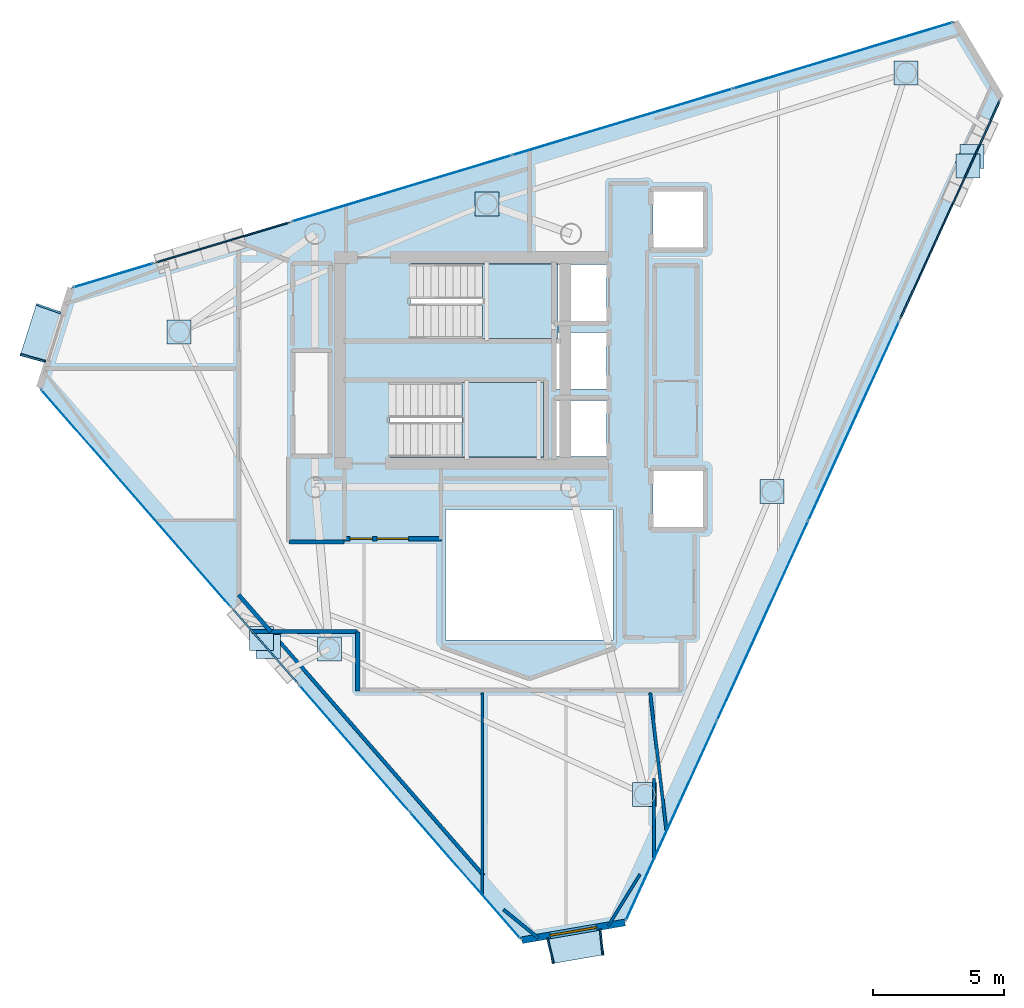
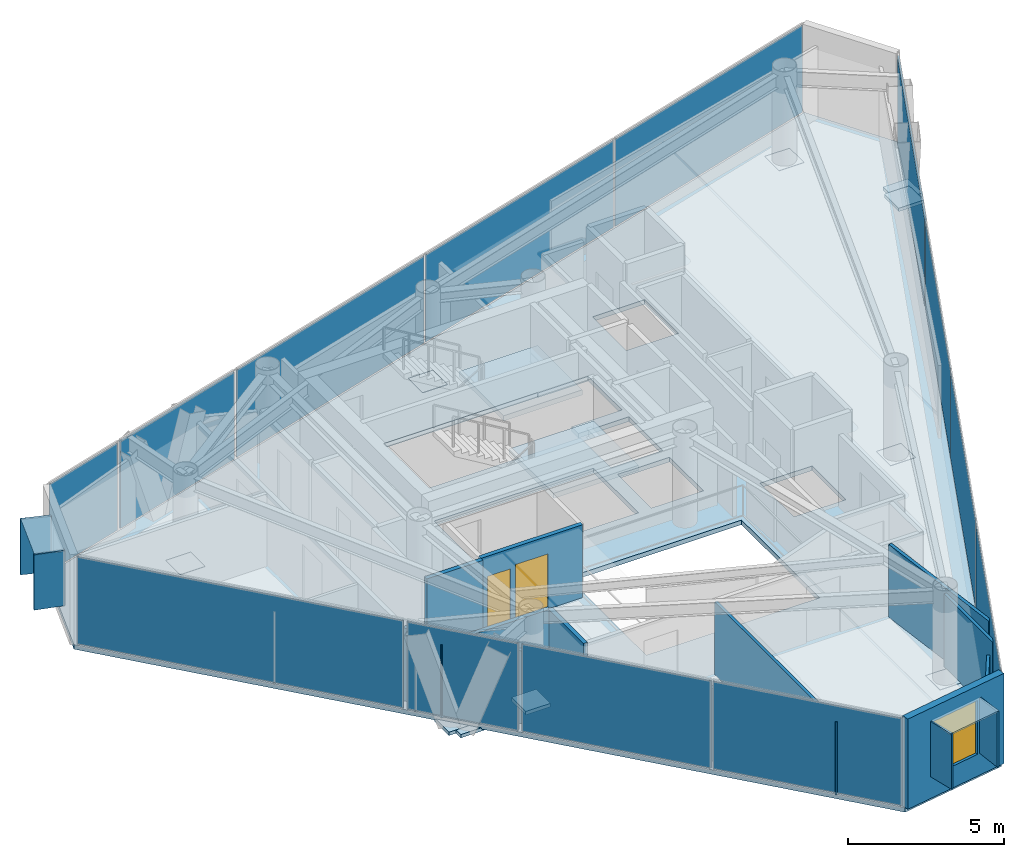
# One storey, part 15 of 19: 29 plates, 12 walls, 3 slabs, 2 doors, 1 window, 3 openings, 10 elements without a shape of their own.
"""IFC4 building model written with IfcOpenShell, lengths in metres."""

from ifc_helpers import new_model, si_unit, direction, frame, frame_2d, origin, origin_2d, place, context, subcontext, project, spatial, polyline, rectangle, outline, extrude, material, layer, layer_set, type_object, element, fill, aggregate, save


model = new_model("IFC4")

# Units and contexts
model_context = context("Model", 3, precision=1e-05, world=origin(), true_north=direction((0.0, 1.0)))
body_context = subcontext(model_context, "Body", "Model", "MODEL_VIEW")
ifc_project = project(units=[si_unit("LENGTHUNIT", "METRE"), si_unit("AREAUNIT", "SQUARE_METRE"), si_unit("VOLUMEUNIT", "CUBIC_METRE"), si_unit("PLANEANGLEUNIT", "RADIAN"), si_unit("MASSUNIT", "GRAM", prefix="KILO")], contexts=[model_context])

# Site, building, storey
site_placement = place(None, origin())
site = spatial("IfcSite", under=ifc_project, at=site_placement, CompositionType="ELEMENT")
building_placement = place(site_placement, origin())
building = spatial("IfcBuilding", under=site, at=building_placement, Name="Qianvela Tower", CompositionType="ELEMENT")
storey_placement = place(building_placement, frame((0.0, 0.0, 325.89990234375)))
storey = spatial("IfcBuildingStorey", under=building, at=storey_placement, Name="L84", CompositionType="ELEMENT", Elevation=325.89990234375)

# Curtain wall, plate
ifc_material_1 = material(Name="Anodised Architectural Aluminium and Insulated Spandrel Panel", Category="aluminium")
ifc_layer_1 = layer(ifc_material_1, 0.179931640625)
ifc_layer_set_1 = layer_set([ifc_layer_1], Name="Anodised Architectural Aluminium and Insulated Spandrel Panel")
curtain_wall_type_1 = type_object("IfcCurtainWallType", Name="CW-BRACEBAY", PredefinedType="USERDEFINED", material=ifc_layer_set_1)
curtain_wall_1_placement = place(storey_placement, origin())
curtain_wall_1 = element("IfcCurtainWall", 1, at=curtain_wall_1_placement, inside=storey, type_object=curtain_wall_type_1, Name="L84 CW-BRACEBAY Curtain Wall 02B", ObjectType="CURTAIN_WALL_SYSTEM", PredefinedType="USERDEFINED")
ifc_material_2 = material(Name="Insulated Aluminium Spandrel Panel with Mineral-Wool Backpan", Category="aluminium")
ifc_layer_2 = layer(ifc_material_2, 0.06005859375)
ifc_layer_set_2 = layer_set([ifc_layer_2], Name="Insulated Aluminium Spandrel Panel with Mineral-Wool Backpan")
plate_type_1 = type_object("IfcPlateType", Name="CW-BRACEBAY-PNL", PredefinedType="CURTAIN_PANEL", material=ifc_layer_set_2)
plate_1_placement = place(storey_placement, frame((25.059326171875, 33.22021484375, 0.06494140625), z_axis=(0.0, 0.0, 1.0), x_axis=(-0.95748675866, -0.288477220921, 0.0)))
plate_1 = element("IfcPlate", 2, at=plate_1_placement, type_object=plate_type_1, Name="CW-9 panel 1.1", PredefinedType="CURTAIN_PANEL", context=body_context, shape_type="SweptSolid", body=[
    extrude(rectangle(XDim=5.320068359375, YDim=0.06005859375, at=origin_2d()), origin(), (0.0, 0.0, 1.0), 3.389892578125),
])
aggregate(curtain_wall_1, [plate_1])

curtain_wall_2_placement = place(storey_placement, origin())
curtain_wall_2 = element("IfcCurtainWall", 3, at=curtain_wall_2_placement, inside=storey, type_object=curtain_wall_type_1, Name="L84 CW-BRACEBAY Curtain Wall 04B", ObjectType="CURTAIN_WALL_SYSTEM", PredefinedType="USERDEFINED")
plate_2_placement = place(storey_placement, frame((26.69482421875, 17.764404296875, 0.06494140625), z_axis=(0.0, 0.0, 1.0), x_axis=(0.657632408423, -0.753338977746, 0.0)))
plate_2 = element("IfcPlate", 4, at=plate_2_placement, type_object=plate_type_1, Name="CW-9 panel 1.1", PredefinedType="CURTAIN_PANEL", context=body_context, shape_type="SweptSolid", body=[
    extrude(rectangle(XDim=3.760009765625, YDim=0.06005859375, at=origin_2d()), origin(), (0.0, 0.0, 1.0), 3.389892578125),
])
aggregate(curtain_wall_2, [plate_2])

curtain_wall_3_placement = place(storey_placement, origin())
curtain_wall_3 = element("IfcCurtainWall", 5, at=curtain_wall_3_placement, inside=storey, type_object=curtain_wall_type_1, Name="L84 CW-BRACEBAY Curtain Wall 06B", ObjectType="CURTAIN_WALL_SYSTEM", PredefinedType="USERDEFINED")
plate_3_placement = place(storey_placement, frame((52.9091796875, 34.471435546875, 0.06494140625), z_axis=(0.0, 0.0, 1.0), x_axis=(0.415117118362, 0.909767980335, 0.0)))
plate_3 = element("IfcPlate", 6, at=plate_3_placement, type_object=plate_type_1, Name="CW-9 panel 1.1", PredefinedType="CURTAIN_PANEL", context=body_context, shape_type="SweptSolid", body=[
    extrude(rectangle(XDim=9.171630859375, YDim=0.06005859375, at=origin_2d()), origin(), (0.0, 0.0, 1.0), 3.389892578125),
])
aggregate(curtain_wall_3, [plate_3])

# Curtain wall, plates
ifc_material_3 = material(Name="Anodised Architectural Aluminium and Low-E Glass", Category="aluminium")
ifc_layer_3 = layer(ifc_material_3, 0.14990234375)
ifc_layer_set_3 = layer_set([ifc_layer_3], Name="Anodised Architectural Aluminium and Low-E Glass")
curtain_wall_type_2 = type_object("IfcCurtainWallType", Name="CW-COLIV-Z78", PredefinedType="USERDEFINED", material=ifc_layer_set_3)
curtain_wall_4_placement = place(storey_placement, origin())
curtain_wall_4 = element("IfcCurtainWall", 7, at=curtain_wall_4_placement, inside=storey, type_object=curtain_wall_type_2, Name="L84 CW-COLIV-Z78 Curtain Wall 02A", ObjectType="CURTAIN_WALL_SYSTEM", PredefinedType="USERDEFINED")
ifc_material_4 = material(Name="Double-Silver Low-E Insulated Glass", Category="glass")
ifc_layer_4 = layer(ifc_material_4, 0.02587890625)
ifc_layer_set_4 = layer_set([ifc_layer_4], Name="Double-Silver Low-E Insulated Glass")
plate_type_2 = type_object("IfcPlateType", Name="CW-COLIV-Z78-PNL", PredefinedType="CURTAIN_PANEL", material=ifc_layer_set_4)
plate_4_placement = place(storey_placement, frame((48.806640625, 40.375, 0.06005859375), z_axis=(0.0, 0.0, 1.0), x_axis=(-0.957485808835, -0.288480373472, 0.0)))
plate_4 = element("IfcPlate", 8, at=plate_4_placement, type_object=plate_type_2, Name="CW-6 panel 1.1", PredefinedType="CURTAIN_PANEL", context=body_context, shape_type="SweptSolid", body=[
    extrude(rectangle(XDim=8.74658203125, YDim=0.02587890625, at=origin_2d()), origin(), (0.0, 0.0, 1.0), 3.39990234375),
])
plate_5_placement = place(storey_placement, frame((40.35986328125, 37.830078125, 0.06005859375), z_axis=(0.0, 0.0, 1.0), x_axis=(-0.957485808835, -0.288480373472, 0.0)))
plate_5 = element("IfcPlate", 9, at=plate_5_placement, type_object=plate_type_2, Name="CW-6 panel 2.1", PredefinedType="CURTAIN_PANEL", context=body_context, shape_type="SweptSolid", body=[
    extrude(rectangle(XDim=8.776611328125, YDim=0.02587890625, at=origin_2d()), origin(), (0.0, 0.0, 1.0), 3.39990234375),
])
plate_6_placement = place(storey_placement, frame((31.913330078125, 35.285400390625, 0.06005859375), z_axis=(0.0, 0.0, 1.0), x_axis=(-0.957485808835, -0.288480373472, 0.0)))
plate_6 = element("IfcPlate", 10, at=plate_6_placement, type_object=plate_type_2, Name="CW-6 panel 3.1", PredefinedType="CURTAIN_PANEL", context=body_context, shape_type="SweptSolid", body=[
    extrude(rectangle(XDim=8.74658203125, YDim=0.02587890625, at=origin_2d()), origin(), (0.0, 0.0, 1.0), 3.39990234375),
])
aggregate(curtain_wall_4, [plate_4, plate_5, plate_6])

# Curtain wall, plate
curtain_wall_5_placement = place(storey_placement, origin())
curtain_wall_5 = element("IfcCurtainWall", 11, at=curtain_wall_5_placement, inside=storey, type_object=curtain_wall_type_2, Name="L84 CW-COLIV-Z78 Curtain Wall 02C", ObjectType="CURTAIN_WALL_SYSTEM", PredefinedType="USERDEFINED")
plate_7_placement = place(storey_placement, frame((20.87841796875, 31.960693359375, 0.06005859375), z_axis=(0.0, 0.0, 1.0), x_axis=(-0.957482750443, -0.288490524288, 0.0)))
plate_7 = element("IfcPlate", 12, at=plate_7_placement, type_object=plate_type_2, Name="CW-6 panel 1.1", PredefinedType="CURTAIN_PANEL", context=body_context, shape_type="SweptSolid", body=[
    extrude(rectangle(XDim=3.163330078125, YDim=0.02587890625, at=origin_2d()), origin(), (0.0, 0.0, 1.0), 3.39990234375),
])
aggregate(curtain_wall_5, [plate_7])

curtain_wall_6_placement = place(storey_placement, origin())
curtain_wall_6 = element("IfcCurtainWall", 13, at=curtain_wall_6_placement, inside=storey, type_object=curtain_wall_type_2, Name="L84 CW-COLIV-Z78 Curtain Wall 04A", ObjectType="CURTAIN_WALL_SYSTEM", PredefinedType="USERDEFINED")
plate_8_placement = place(storey_placement, frame((21.752685546875, 23.42578125, 0.06005859375), z_axis=(0.0, 0.0, 1.0), x_axis=(0.657640506468, -0.753331908425, 0.0)))
plate_8 = element("IfcPlate", 14, at=plate_8_placement, type_object=plate_type_2, Name="CW-6 panel 1.1", PredefinedType="CURTAIN_PANEL", context=body_context, shape_type="SweptSolid", body=[
    extrude(rectangle(XDim=11.02001953125, YDim=0.02587890625, at=origin_2d()), origin(), (0.0, 0.0, 1.0), 3.39990234375),
])
aggregate(curtain_wall_6, [plate_8])

# Curtain wall, plates
curtain_wall_7_placement = place(storey_placement, origin())
curtain_wall_7 = element("IfcCurtainWall", 15, at=curtain_wall_7_placement, inside=storey, type_object=curtain_wall_type_2, Name="L84 CW-COLIV-Z78 Curtain Wall 04C", ObjectType="CURTAIN_WALL_SYSTEM", PredefinedType="USERDEFINED")
plate_9_placement = place(storey_placement, frame((30.11181640625, 13.850341796875, 0.06005859375), z_axis=(0.0, 0.0, 1.0), x_axis=(0.657639415253, -0.753332861029, 0.0)))
plate_9 = element("IfcPlate", 16, at=plate_9_placement, type_object=plate_type_2, Name="CW-6 panel 1.1", PredefinedType="CURTAIN_PANEL", context=body_context, shape_type="SweptSolid", body=[
    extrude(rectangle(XDim=6.381591796875, YDim=0.02587890625, at=origin_2d()), origin(), (0.0, 0.0, 1.0), 3.39990234375),
])
plate_10_placement = place(storey_placement, frame((34.34814453125, 8.99755859375, 0.06005859375), z_axis=(0.0, 0.0, 1.0), x_axis=(0.657639415253, -0.753332861029, 0.0)))
plate_10 = element("IfcPlate", 17, at=plate_10_placement, type_object=plate_type_2, Name="CW-6 panel 2.1", PredefinedType="CURTAIN_PANEL", context=body_context, shape_type="SweptSolid", body=[
    extrude(rectangle(XDim=6.381591796875, YDim=0.02587890625, at=origin_2d()), origin(), (0.0, 0.0, 1.0), 3.39990234375),
])
aggregate(curtain_wall_7, [plate_9, plate_10])

curtain_wall_8_placement = place(storey_placement, origin())
curtain_wall_8 = element("IfcCurtainWall", 18, at=curtain_wall_8_placement, inside=storey, type_object=curtain_wall_type_2, Name="L84 CW-COLIV-Z78 Curtain Wall 06A", ObjectType="CURTAIN_WALL_SYSTEM", PredefinedType="USERDEFINED")
plate_11_placement = place(storey_placement, frame((42.236083984375, 11.08056640625, 0.06005859375), z_axis=(0.0, 0.0, 1.0), x_axis=(0.415120482066, 0.909766445507, 0.0)))
plate_11 = element("IfcPlate", 19, at=plate_11_placement, type_object=plate_type_2, Name="CW-6 panel 1.1", PredefinedType="CURTAIN_PANEL", context=body_context, shape_type="SweptSolid", body=[
    extrude(rectangle(XDim=8.340087890625, YDim=0.02587890625, at=origin_2d()), origin(), (0.0, 0.0, 1.0), 3.39990234375),
])
plate_12_placement = place(storey_placement, frame((45.7294921875, 18.736083984375, 0.06005859375), z_axis=(0.0, 0.0, 1.0), x_axis=(0.415120482066, 0.909766445507, 0.0)))
plate_12 = element("IfcPlate", 20, at=plate_12_placement, type_object=plate_type_2, Name="CW-6 panel 2.1", PredefinedType="CURTAIN_PANEL", context=body_context, shape_type="SweptSolid", body=[
    extrude(rectangle(XDim=8.3701171875, YDim=0.02587890625, at=origin_2d()), origin(), (0.0, 0.0, 1.0), 3.39990234375),
])
plate_13_placement = place(storey_placement, frame((49.22265625, 26.391845703125, 0.06005859375), z_axis=(0.0, 0.0, 1.0), x_axis=(0.415120482066, 0.909766445507, 0.0)))
plate_13 = element("IfcPlate", 21, at=plate_13_placement, type_object=plate_type_2, Name="CW-6 panel 3.1", PredefinedType="CURTAIN_PANEL", context=body_context, shape_type="SweptSolid", body=[
    extrude(rectangle(XDim=8.340087890625, YDim=0.02587890625, at=origin_2d()), origin(), (0.0, 0.0, 1.0), 3.39990234375),
])
aggregate(curtain_wall_8, [plate_11, plate_12, plate_13])

# Plates
ifc_material_5 = material(Name="Steel Q420GJC", Category="steel")
ifc_layer_5 = layer(ifc_material_5, 0.1298828125)
ifc_layer_set_5 = layer_set([ifc_layer_5], Name="Steel Q420GJC")
plate_type_3 = type_object("IfcPlateType", Name="PT-ENDCAP-130", PredefinedType="USERDEFINED", material=ifc_layer_set_5)
for number, where, z_axis, x_axis, name in (
    (22, (26.544921875, 18.0576171875, -0.261474609375), (0.0, 0.0, 1.0), (1.0, 0.0, 0.0), "L84 Hollow Section End Cap Plate A"),
    (23, (26.808349609375, 17.756103515625, -0.261474609375), (0.0, 0.0, 1.0), (1.0, 0.0, 0.0), "L84 Hollow Section End Cap Plate A"),
    (24, (53.587646484375, 36.15087890625, -0.261474609375), (0.0, 0.0, 1.0), (1.0, 0.0, 0.0), "L84 Hollow Section End Cap Plate A"),
    (25, (53.75390625, 36.515380859375, -0.261474609375), (0.0, 0.0, 1.0), (1.0, 0.0, 0.0), "L84 Hollow Section End Cap Plate A"),
):
    element("IfcPlate", number, at=place(storey_placement, frame(where, z_axis=z_axis, x_axis=x_axis)), inside=storey, type_object=plate_type_3, Name=name, ObjectType="END_CAP", PredefinedType="USERDEFINED", context=body_context, shape_type="SweptSolid", body=[
        extrude(rectangle(XDim=0.919921875, YDim=0.919921875, at=origin_2d()), origin(), (0.0, 0.0, 1.0), 0.1298828125),
    ])
ifc_material_6 = material(Name="Steel Q420GJC", Category="steel")
ifc_layer_6 = layer(ifc_material_6, 0.139892578125)
ifc_layer_set_6 = layer_set([ifc_layer_6], Name="Steel Q420GJC")
plate_type_4 = type_object("IfcPlateType", Name="PT-GUSSET-NODE-140", PredefinedType="USERDEFINED", material=ifc_layer_set_6)
for number, where, z_axis, x_axis, name in (
    (26, (51.22705078125, 39.7080078125, -0.134765625), (0.0, 0.0, 1.0), (1.0, 0.0, 0.0), "L84 Node Gusset Plate BOT"),
    (27, (35.177001953125, 34.695068359375, -0.134765625), (0.0, 0.0, 1.0), (1.0, 0.0, 0.0), "L84 Node Gusset Plate BOT"),
    (28, (23.39990234375, 29.7890625, -0.134765625), (0.0, 0.0, 1.0), (1.0, 0.0, 0.0), "L84 Node Gusset Plate BOT"),
    (29, (29.14990234375, 17.662109375, -0.134765625), (0.0, 0.0, 1.0), (1.0, 0.0, 0.0), "L84 Node Gusset Plate BOT"),
    (30, (41.217041015625, 12.087890625, -0.134765625), (0.0, 0.0, 1.0), (1.0, 0.0, 0.0), "L84 Node Gusset Plate BOT"),
    (31, (46.094970703125, 23.69091796875, -0.134765625), (0.0, 0.0, 1.0), (1.0, 0.0, 0.0), "L84 Node Gusset Plate BOT"),
):
    element("IfcPlate", number, at=place(storey_placement, frame(where, z_axis=z_axis, x_axis=x_axis)), inside=storey, type_object=plate_type_4, Name=name, ObjectType="GUSSET_PLATE", PredefinedType="USERDEFINED", context=body_context, shape_type="SweptSolid", body=[
        extrude(rectangle(XDim=0.919921875, YDim=0.919921875, at=origin_2d()), origin(), (0.0, 0.0, 1.0), 0.139892578125),
    ])

# Slab
ifc_material_7 = material(Name="Concrete C40", Category="concrete")
ifc_layer_7 = layer(ifc_material_7, 0.179931640625)
ifc_layer_set_7 = layer_set([ifc_layer_7], Name="Concrete C40")
slab_type_1 = type_object("IfcSlabType", Name="SL-FLOOR-180", PredefinedType="FLOOR", material=ifc_layer_set_7)
slab_1_placement = place(storey_placement, frame((0.0, 0.0, -0.179931640625)))
element("IfcSlab", 32, at=slab_1_placement, inside=storey, type_object=slab_type_1, Name="L84 Composite Structural Floor Slab", PredefinedType="FLOOR", context=body_context, shape_type="SweptSolid", body=[
    extrude(outline(polyline([(54.860595703125, 38.748046875), (53.099365234375, 41.66845703125), (19.258544921875, 31.47265625), (18.056884765625, 27.659423828125), (36.51904296875, 6.5107421875), (40.45947265625, 7.186767578125), (54.860595703125, 38.748046875)]), holes=[polyline([(40.0, 23.0), (33.60009765625, 23.0), (33.60009765625, 18.0), (40.0, 18.0), (40.0, 23.0)]), polyline([(43.4599609375, 24.47998046875), (41.5400390625, 24.47998046875), (41.5400390625, 22.320068359375), (43.4599609375, 22.320068359375), (43.4599609375, 24.47998046875)]), polyline([(39.760009765625, 27.179931640625), (37.840087890625, 27.179931640625), (37.840087890625, 25.02001953125), (39.760009765625, 25.02001953125), (39.760009765625, 27.179931640625)]), polyline([(37.35009765625, 27.860107421875), (31.469970703125, 27.860107421875), (31.469970703125, 25.0), (37.35009765625, 25.0), (37.35009765625, 27.860107421875)]), polyline([(39.760009765625, 27.6201171875), (39.760009765625, 29.780029296875), (37.89990234375, 29.780029296875), (37.89990234375, 30.219970703125), (39.760009765625, 30.219970703125), (39.760009765625, 32.3798828125), (37.89990234375, 32.3798828125), (37.89990234375, 32.39990234375), (32.25, 32.39990234375), (32.25, 29.5400390625), (37.840087890625, 29.5400390625), (37.840087890625, 27.6201171875), (39.760009765625, 27.6201171875)]), polyline([(43.4599609375, 35.179931640625), (41.5400390625, 35.179931640625), (41.5400390625, 33.02001953125), (43.4599609375, 33.02001953125), (43.4599609375, 35.179931640625)])]), origin(), (0.0, 0.0, 1.0), 0.179931640625),
])

# Stair, slab
ifc_material_8 = material(Name="Concrete C40", Category="concrete")
stair_type = type_object("IfcStairType", Name="ST-DOGLEG-1350-R168-N22", PredefinedType="HALF_TURN_STAIR", material=ifc_material_8)
stair_1_placement = place(storey_placement, origin())
stair_1 = element("IfcStair", 33, at=stair_1_placement, inside=storey, type_object=stair_type, Name="L84 Smoke-Proof Core Stair ST-1", PredefinedType="HALF_TURN_STAIR")
ifc_material_9 = material(Name="Concrete C40", Category="concrete")
ifc_layer_8 = layer(ifc_material_9, 0.199951171875)
ifc_layer_set_8 = layer_set([ifc_layer_8], Name="Concrete C40")
slab_type_2 = type_object("IfcSlabType", Name="SL-STAIR-LANDING-200", PredefinedType="LANDING", material=ifc_layer_set_8)
slab_2_placement = place(storey_placement, frame((0.0, 0.0, 1.650146484375)))
slab_2 = element("IfcSlab", 34, at=slab_2_placement, type_object=slab_type_2, Name="ST-1 landing 1", PredefinedType="LANDING", context=body_context, shape_type="SweptSolid", body=[
    extrude(outline(polyline([(35.0, 29.5400390625), (37.89990234375, 29.5400390625), (37.89990234375, 32.39990234375), (35.0, 32.39990234375), (35.0, 29.5400390625)])), origin(), (0.0, 0.0, 1.0), 0.199951171875),
])
aggregate(stair_1, [slab_2])

stair_2_placement = place(storey_placement, origin())
stair_2 = element("IfcStair", 35, at=stair_2_placement, inside=storey, type_object=stair_type, Name="L84 Smoke-Proof Core Stair ST-2", PredefinedType="HALF_TURN_STAIR")
slab_3_placement = place(storey_placement, frame((0.0, 0.0, 1.650146484375)))
slab_3 = element("IfcSlab", 36, at=slab_3_placement, type_object=slab_type_2, Name="ST-2 landing 1", PredefinedType="LANDING", context=body_context, shape_type="SweptSolid", body=[
    extrude(outline(polyline([(34.219970703125, 25.0), (37.35009765625, 25.0), (37.35009765625, 27.860107421875), (34.219970703125, 27.860107421875), (34.219970703125, 25.0)])), origin(), (0.0, 0.0, 1.0), 0.199951171875),
])
aggregate(stair_2, [slab_3])

# Plates
ifc_material_10 = material(Name="Vitrified Architectural Terracotta Panel", Category="masonry")
ifc_layer_9 = layer(ifc_material_10, 0.06005859375)
ifc_layer_set_9 = layer_set([ifc_layer_9], Name="Vitrified Architectural Terracotta Panel")
plate_type_5 = type_object("IfcPlateType", Name="TERRACOTTA-SUNSHADE-HOOD-FOLD-A", PredefinedType="USERDEFINED", material=ifc_layer_set_9)
plate_14_placement = place(storey_placement, frame((38.588134765625, 6.272216796875, 2.9599609375), z_axis=(0.0, 0.0, 1.0), x_axis=(0.985605377491, 0.16906223665, 0.0)))
element("IfcPlate", 37, at=plate_14_placement, inside=storey, type_object=plate_type_5, Name="L84 Terracotta Sunshade Hood FOLD-A", ObjectType="SUNSHADE", PredefinedType="USERDEFINED", context=body_context, shape_type="SweptSolid", body=[
    extrude(rectangle(XDim=2.0400390625, YDim=0.989990234375, at=origin_2d()), origin(), (0.0, 0.0, 1.0), 0.06005859375),
])
ifc_material_11 = material(Name="Vitrified Architectural Terracotta Panel", Category="masonry")
ifc_layer_10 = layer(ifc_material_11, 0.070068359375)
ifc_layer_set_10 = layer_set([ifc_layer_10], Name="Vitrified Architectural Terracotta Panel")
plate_type_6 = type_object("IfcPlateType", Name="TERRACOTTA-SUNSHADE-HOOD-FOLD-C", PredefinedType="USERDEFINED", material=ifc_layer_set_10)
plate_15_placement = place(storey_placement, frame((18.099853515625, 29.741943359375, 2.9599609375), z_axis=(0.0, 0.0, 1.0), x_axis=(-0.300599266423, -0.953750533959, 0.0)))
element("IfcPlate", 38, at=plate_15_placement, inside=storey, type_object=plate_type_6, Name="L84 Terracotta Sunshade Hood FOLD-C", ObjectType="SUNSHADE", PredefinedType="USERDEFINED", context=body_context, shape_type="SweptSolid", body=[
    extrude(rectangle(XDim=2.0400390625, YDim=0.989990234375, at=origin_2d()), origin(), (0.0, 0.0, 1.0), 0.06005859375),
])
ifc_material_12 = material(Name="Vitrified Architectural Terracotta Side Fin Panel", Category="masonry")
ifc_layer_11 = layer(ifc_material_12, 0.06494140625)
ifc_layer_set_11 = layer_set([ifc_layer_11], Name="Vitrified Architectural Terracotta Side Fin Panel")
plate_type_7 = type_object("IfcPlateType", Name="TERRACOTTA-SUNSHADE-STRUT-FOLD-A", PredefinedType="USERDEFINED", material=ifc_layer_set_11)
for number, where, z_axis, x_axis, name in (
    (39, (37.6123046875, 6.104736328125, 0.85009765625), (0.0, 0.0, 1.0), (0.971411306856, 0.237402765175, 0.0), "L84 Terracotta Sunshade Side Fin HL FOLD-A"),
    (40, (39.56396484375, 6.439453125, 0.85009765625), (0.0, 0.0, 1.0), (0.9949976778, 0.099898053901, 0.0), "L84 Terracotta Sunshade Side Fin HR FOLD-A"),
):
    element("IfcPlate", number, at=place(storey_placement, frame(where, z_axis=z_axis, x_axis=x_axis)), inside=storey, type_object=plate_type_7, Name=name, ObjectType="SUNSHADE", PredefinedType="USERDEFINED", context=body_context, shape_type="SweptSolid", body=[
        extrude(rectangle(XDim=0.06494140625, YDim=1.010009765625, at=origin_2d()), origin(), (0.0, 0.0, 1.0), 2.159912109375),
    ])
ifc_material_13 = material(Name="Vitrified Architectural Terracotta Side Fin Panel", Category="masonry")
ifc_layer_12 = layer(ifc_material_13, 0.074951171875)
ifc_layer_set_12 = layer_set([ifc_layer_12], Name="Vitrified Architectural Terracotta Side Fin Panel")
plate_type_8 = type_object("IfcPlateType", Name="TERRACOTTA-SUNSHADE-STRUT-FOLD-C", PredefinedType="USERDEFINED", material=ifc_layer_set_12)
for number, where, z_axis, x_axis, name in (
    (41, (18.397216796875, 30.68603515625, 0.85009765625), (0.0, 0.0, 1.0), (-0.333701563086, -0.942678771795, 0.0), "L84 Terracotta Sunshade Side Fin HL FOLD-C"),
    (42, (17.80224609375, 28.797607421875, 0.85009765625), (0.0, 0.0, 1.0), (-0.267130735857, -0.96366029801, 0.0), "L84 Terracotta Sunshade Side Fin HR FOLD-C"),
):
    element("IfcPlate", number, at=place(storey_placement, frame(where, z_axis=z_axis, x_axis=x_axis)), inside=storey, type_object=plate_type_8, Name=name, ObjectType="SUNSHADE", PredefinedType="USERDEFINED", context=body_context, shape_type="SweptSolid", body=[
        extrude(rectangle(XDim=0.074951171875, YDim=1.010009765625, at=origin_2d()), origin(), (0.0, 0.0, 1.0), 2.159912109375),
    ])

# Wall, opening, window
ifc_material_14 = material(Name="Terracotta Cladding on Concrete C40", Category="masonry")
ifc_layer_13 = layer(ifc_material_14, 0.260009765625)
ifc_layer_set_13 = layer_set([ifc_layer_13], Name="Terracotta Cladding on Concrete C40")
wall_type_1 = type_object("IfcWallType", Name="TERRACOTTA-WALL-260", PredefinedType="SOLIDWALL", material=ifc_layer_set_13)
wall_1_placement = place(storey_placement, frame((36.51904296875, 6.5107421875, 0.0), z_axis=(0.0, 0.0, 1.0), x_axis=(0.985600454731, 0.169090933033, 0.0)))
wall_1 = element("IfcWall", 43, at=wall_1_placement, inside=storey, type_object=wall_type_1, Name="L84 Terracotta Chamfer Facet Wall 5", PredefinedType="SOLIDWALL", context=body_context, shape_type="SweptSolid", body=[
    extrude(rectangle(XDim=3.998046875, YDim=0.260009765625, at=frame_2d((1.9990234375, 0.0))), origin(), (0.0, 0.0, 1.0), 3.52001953125),
])
opening_1_placement = place(wall_1_placement, frame((1.09912109375, 0.0, 0.85009765625)))
opening_1 = element("IfcOpeningElement", 44, at=opening_1_placement, cuts=wall_1, Name="Opening W-01", PredefinedType="OPENING", context=body_context, shape_type="SweptSolid", body=[
    extrude(rectangle(XDim=1.800048828125, YDim=2.10009765625, at=frame_2d((0.89990234375, 1.050048828125))), frame((0.0, 0.139892578125, 0.0), z_axis=(0.0, -1.0, 0.0), x_axis=(1.0, 0.0, 0.0)), (0.0, 0.0, 1.0), 0.280029296875),
])
ifc_material_15 = material(Name="Thermally Broken Aluminium and Low-E Glass", Category="aluminium")
window_type = type_object("IfcWindowType", Name="WIN-TC-1800x2100", PartitioningType="DOUBLE_PANEL_VERTICAL", PredefinedType="WINDOW", material=ifc_material_15)
window_placement = place(opening_1_placement, origin())
window = element("IfcWindow", 45, at=window_placement, inside=storey, type_object=window_type, Name="L84 Chamfer Facet Window 5.1", OverallHeight=2.10009765625, OverallWidth=1.800048828125, PartitioningType="SINGLE_PANEL", PredefinedType="WINDOW", context=body_context, shape_type="SweptSolid", body=[
    extrude(rectangle(XDim=1.800048828125, YDim=2.10009765625, at=frame_2d((0.89990234375, 1.050048828125))), frame((0.0, 0.030029296875, 0.0), z_axis=(0.0, -1.0, 0.0), x_axis=(1.0, 0.0, 0.0)), (0.0, 0.0, 1.0), 0.06005859375),
])
fill(opening_1, window)

# Wall, openings, doors
ifc_material_16 = material(Name="Fire-Rated Gypsum and Concrete Block", Category="concrete")
ifc_layer_14 = layer(ifc_material_16, 0.159912109375)
ifc_layer_set_14 = layer_set([ifc_layer_14], Name="Fire-Rated Gypsum and Concrete Block")
wall_type_2 = type_object("IfcWallType", Name="WT-CORR-160", PredefinedType="PARTITIONING", material=ifc_layer_set_14)
wall_2_placement = place(storey_placement, frame((33.449951171875, 21.881103515625, 0.0), z_axis=(0.0, 0.0, 1.0), x_axis=(-1.0, 0.0, 0.0)))
wall_2 = element("IfcWall", 46, at=wall_2_placement, inside=storey, type_object=wall_type_2, Name="L84 Partition 5", PredefinedType="PARTITIONING", context=body_context, shape_type="SweptSolid", body=[
    extrude(rectangle(XDim=3.75, YDim=0.159912109375, at=frame_2d((1.875, 0.0))), origin(), (0.0, 0.0, 1.0), 2.840087890625),
])
opening_2_placement = place(wall_2_placement, frame((1.27490234375, 0.0, 0.0)))
opening_2 = element("IfcOpeningElement", 47, at=opening_2_placement, cuts=wall_2, Name="Opening D-LB1", PredefinedType="OPENING", context=body_context, shape_type="SweptSolid", body=[
    extrude(rectangle(XDim=1.199951171875, YDim=2.14990234375, at=frame_2d((0.60009765625, 1.074951171875))), frame((0.0, 0.08984375, 0.0), z_axis=(0.0, -1.0, 0.0), x_axis=(1.0, 0.0, 0.0)), (0.0, 0.0, 1.0), 0.179931640625),
])
opening_3_placement = place(wall_2_placement, frame((2.659912109375, 0.0, 0.0)))
opening_3 = element("IfcOpeningElement", 48, at=opening_3_placement, cuts=wall_2, Name="Opening D-LB2", PredefinedType="OPENING", context=body_context, shape_type="SweptSolid", body=[
    extrude(rectangle(XDim=0.860107421875, YDim=2.050048828125, at=frame_2d((0.43017578125, 1.02490234375))), frame((0.0, 0.08984375, 0.0), z_axis=(0.0, -1.0, 0.0), x_axis=(1.0, 0.0, 0.0)), (0.0, 0.0, 1.0), 0.179931640625),
])
ifc_material_17 = material(Name="Glazed Fire-Rated Steel Frame", Category="steel")
door_type_1 = type_object("IfcDoorType", Name="DT-LOBBY-FD90", OperationType="NOTDEFINED", PredefinedType="DOOR", material=ifc_material_17)
door_1_placement = place(opening_2_placement, origin())
door_1 = element("IfcDoor", 49, at=door_1_placement, inside=storey, type_object=door_type_1, Name="L84 Door L84 Firefighting Lobby South to L84 Floor Corridor", OperationType="SINGLE_SWING_RIGHT", OverallHeight=2.14990234375, OverallWidth=1.199951171875, PredefinedType="DOOR", context=body_context, shape_type="SweptSolid", body=[
    extrude(rectangle(XDim=1.199951171875, YDim=2.14990234375, at=frame_2d((0.60009765625, 1.074951171875))), frame((0.0, 0.02490234375, 0.0), z_axis=(0.0, -1.0, 0.0), x_axis=(1.0, 0.0, 0.0)), (0.0, 0.0, 1.0), 0.050048828125),
])
fill(opening_2, door_1)
ifc_material_18 = material(Name="Insulated Steel Fire Door Q355B", Category="steel")
door_type_2 = type_object("IfcDoorType", Name="DT-LOBBY-FD90-860", OperationType="NOTDEFINED", PredefinedType="DOOR", material=ifc_material_18)
door_2_placement = place(opening_3_placement, origin())
door_2 = element("IfcDoor", 50, at=door_2_placement, inside=storey, type_object=door_type_2, Name="L84 Door L84 Firefighting Lobby South to L84 Floor Corridor", OperationType="SINGLE_SWING_RIGHT", OverallHeight=2.050048828125, OverallWidth=0.860107421875, PredefinedType="DOOR", context=body_context, shape_type="SweptSolid", body=[
    extrude(rectangle(XDim=0.860107421875, YDim=2.050048828125, at=frame_2d((0.43017578125, 1.02490234375))), frame((0.0, 0.02490234375, 0.0), z_axis=(0.0, -1.0, 0.0), x_axis=(1.0, 0.0, 0.0)), (0.0, 0.0, 1.0), 0.050048828125),
])
fill(opening_3, door_2)

# Walls
wall_3_placement = place(storey_placement, frame((27.6201171875, 21.7490234375, 0.0), z_axis=(0.0, 0.0, 1.0), x_axis=(1.0, 0.0, 0.0)))
element("IfcWall", 51, at=wall_3_placement, inside=storey, type_object=wall_type_2, Name="L84 Partition 49 seg 1", PredefinedType="PARTITIONING", context=body_context, shape_type="SweptSolid", body=[
    extrude(rectangle(XDim=2.079833984375, YDim=0.159912109375, at=frame_2d((1.0400390625, 0.0))), origin(), (0.0, 0.0, 1.0), 2.840087890625),
])
wall_4_placement = place(storey_placement, frame((30.23095703125, 16.050048828125, 0.0), z_axis=(0.0, 0.0, 1.0), x_axis=(0.0, 1.0, 0.0)))
element("IfcWall", 52, at=wall_4_placement, inside=storey, type_object=wall_type_2, Name="L84 Partition 55", PredefinedType="PARTITIONING", context=body_context, shape_type="SweptSolid", body=[
    extrude(rectangle(XDim=2.25, YDim=0.159912109375, at=frame_2d((1.125, 0.0))), origin(), (0.0, 0.0, 1.0), 2.840087890625),
])
wall_5_placement = place(storey_placement, frame((30.199951171875, 18.3310546875, 0.0), z_axis=(0.0, 0.0, 1.0), x_axis=(-1.0, 0.0, 0.0)))
element("IfcWall", 53, at=wall_5_placement, inside=storey, type_object=wall_type_2, Name="L84 Partition 56", PredefinedType="PARTITIONING", context=body_context, shape_type="SweptSolid", body=[
    extrude(rectangle(XDim=4.01953125, YDim=0.159912109375, at=frame_2d((2.009765625, 0.0))), origin(), (0.0, 0.0, 1.0), 2.840087890625),
])
wall_6_placement = place(storey_placement, frame((26.90771484375, 18.3203125, 0.0), z_axis=(0.0, 0.0, 1.0), x_axis=(-0.657555722756, 0.753405914147, 0.0)))
element("IfcWall", 54, at=wall_6_placement, inside=storey, type_object=wall_type_2, Name="L84 Partition 57", PredefinedType="PARTITIONING", context=body_context, shape_type="SweptSolid", body=[
    extrude(rectangle(XDim=1.877197265625, YDim=0.159912109375, at=frame_2d((0.9384765625, 0.0))), origin(), (0.0, 0.0, 1.0), 2.840087890625),
])
ifc_material_19 = material(Name="Lightweight Gypsum Room Partition")
ifc_layer_15 = layer(ifc_material_19, 0.10498046875)
ifc_layer_set_15 = layer_set([ifc_layer_15], Name="Lightweight Gypsum Room Partition")
wall_type_3 = type_object("IfcWallType", Name="WT-PART-105", PredefinedType="PARTITIONING", material=ifc_layer_set_15)
wall_7_placement = place(storey_placement, frame((35.00341796875, 15.970947265625, 0.0), z_axis=(0.0, 0.0, 1.0), x_axis=(0.0, -1.0, 0.0)))
element("IfcWall", 55, at=wall_7_placement, inside=storey, type_object=wall_type_3, Name="L84 Partition 67", PredefinedType="PARTITIONING", context=body_context, shape_type="SweptSolid", body=[
    extrude(rectangle(XDim=7.744140625, YDim=0.10498046875, at=frame_2d((3.8720703125, 0.0))), origin(), (0.0, 0.0, 1.0), 2.840087890625),
])
wall_8_placement = place(storey_placement, frame((41.037109375, 9.03076171875, 0.0), z_axis=(0.0, 0.0, 1.0), x_axis=(-0.524362349403, -0.851495229892, 0.0)))
element("IfcWall", 56, at=wall_8_placement, inside=storey, type_object=wall_type_3, Name="L84 Partition 73 seg 1", PredefinedType="PARTITIONING", context=body_context, shape_type="SweptSolid", body=[
    extrude(rectangle(XDim=2.3134765625, YDim=0.10498046875, at=frame_2d((1.15673828125, 0.0))), origin(), (0.0, 0.0, 1.0), 2.840087890625),
])
wall_9_placement = place(storey_placement, frame((41.572998046875, 9.607177734375, 0.0), z_axis=(0.0, 0.0, 1.0), x_axis=(0.0, 1.0, 0.0)))
element("IfcWall", 57, at=wall_9_placement, inside=storey, type_object=wall_type_3, Name="L84 Partition 94 seg 1", PredefinedType="PARTITIONING", context=body_context, shape_type="SweptSolid", body=[
    extrude(rectangle(XDim=3.0869140625, YDim=0.10498046875, at=frame_2d((1.54345703125, 0.0))), origin(), (0.0, 0.0, 1.0), 2.840087890625),
])
ifc_material_20 = material(Name="Insulated Gypsum Stud Partition")
ifc_layer_16 = layer(ifc_material_20, 0.1201171875)
ifc_layer_set_16 = layer_set([ifc_layer_16], Name="Insulated Gypsum Stud Partition")
wall_type_4 = type_object("IfcWallType", Name="WT-PART-120", PredefinedType="PARTITIONING", material=ifc_layer_set_16)
wall_10_placement = place(storey_placement, frame((41.427001953125, 15.969970703125, 0.0), z_axis=(0.0, 0.0, 1.0), x_axis=(0.117495284086, -0.993073440495, 0.0)))
element("IfcWall", 58, at=wall_10_placement, inside=storey, type_object=wall_type_4, Name="L84 Partition 72", PredefinedType="PARTITIONING", context=body_context, shape_type="SweptSolid", body=[
    extrude(rectangle(XDim=5.32763671875, YDim=0.1201171875, at=frame_2d((2.663818359375, 0.0))), origin(), (0.0, 0.0, 1.0), 2.840087890625),
])
wall_11_placement = place(storey_placement, frame((37.139404296875, 6.599853515625, 0.0), z_axis=(0.0, 0.0, 1.0), x_axis=(-0.774243203932, 0.632888190097, 0.0)))
element("IfcWall", 59, at=wall_11_placement, inside=storey, type_object=wall_type_4, Name="L84 Partition 75 seg 1", PredefinedType="PARTITIONING", context=body_context, shape_type="SweptSolid", body=[
    extrude(rectangle(XDim=1.711669921875, YDim=0.1201171875, at=frame_2d((0.85595703125, 0.0))), origin(), (0.0, 0.0, 1.0), 2.840087890625),
])
ifc_material_21 = material(Name="Acoustic Double Gypsum Stud Partition")
ifc_layer_17 = layer(ifc_material_21, 0.139892578125)
ifc_layer_set_17 = layer_set([ifc_layer_17], Name="Acoustic Double Gypsum Stud Partition")
wall_type_5 = type_object("IfcWallType", Name="WT-ROOM-140", PredefinedType="PARTITIONING", material=ifc_layer_set_17)
wall_12_placement = place(storey_placement, frame((35.0576171875, 8.984619140625, 0.0), z_axis=(0.0, 0.0, 1.0), x_axis=(-0.657637601848, 0.753334444079, 0.0)))
element("IfcWall", 60, at=wall_12_placement, inside=storey, type_object=wall_type_5, Name="L84 Partition 68", PredefinedType="PARTITIONING", context=body_context, shape_type="SweptSolid", body=[
    extrude(rectangle(XDim=12.28662109375, YDim=0.139892578125, at=frame_2d((6.143310546875, 0.0))), origin(), (0.0, 0.0, 1.0), 2.840087890625),
])

save(model, "model.ifc")
